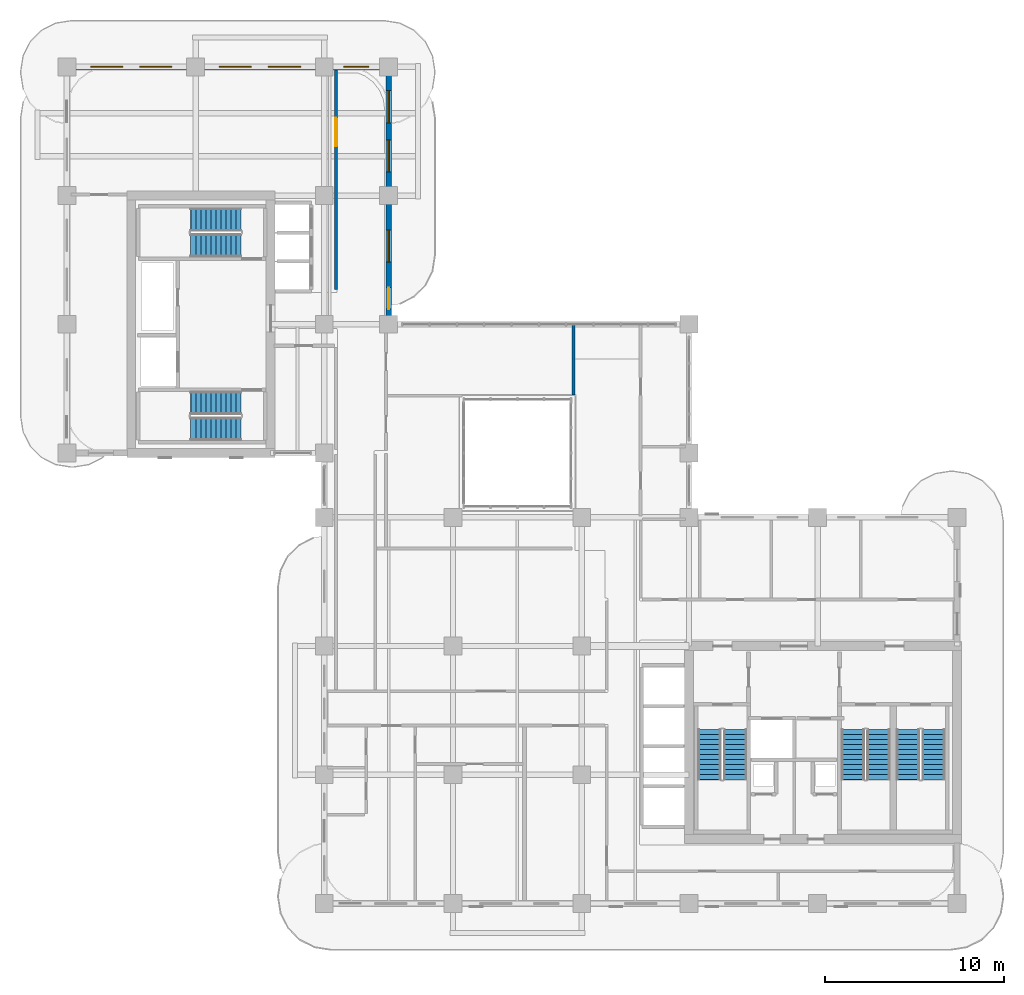
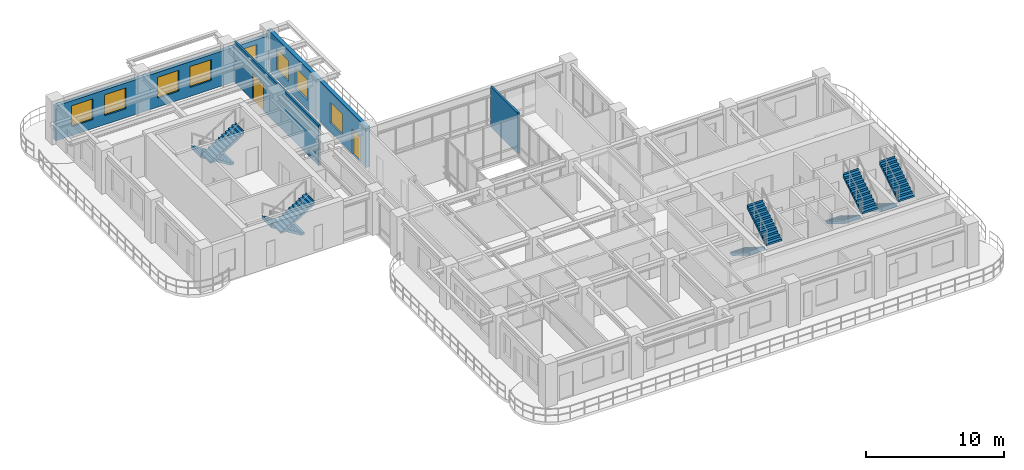
# One storey, part 15 of 20: 10 stair flights, 8 windows, 4 walls, 2 doors, 10 openings, 5 elements without a shape of their own.
"""IFC4 building model written with IfcOpenShell, lengths in metres."""

from ifc_helpers import new_model, si_unit, derived_unit, direction, frame, frame_2d, origin, place, context, subcontext, project, spatial, polyline, rectangle, outline, extrude, source, transform, mapped, material, layer, layer_set, type_object, type_shapes, element, fill, aggregate, save


model = new_model("IFC4")

# Units and contexts
model_context = context("Model", 3, precision=1e-05, world=origin(), true_north=direction((0.0, 1.0)))
body_context = subcontext(model_context, "Body", "Model", "MODEL_VIEW")
ifc_project = project(units=[si_unit("LENGTHUNIT", "METRE"), si_unit("AREAUNIT", "SQUARE_METRE"), si_unit("VOLUMEUNIT", "CUBIC_METRE"), si_unit("PLANEANGLEUNIT", "RADIAN"), si_unit("MASSUNIT", "GRAM", prefix="KILO"), si_unit("THERMODYNAMICTEMPERATUREUNIT", "KELVIN"), si_unit("POWERUNIT", "WATT"), derived_unit("THERMALTRANSMITTANCEUNIT", [(si_unit("POWERUNIT", "WATT"), 1), (si_unit("AREAUNIT", "SQUARE_METRE"), -1), (si_unit("THERMODYNAMICTEMPERATUREUNIT", "KELVIN"), -1)])], contexts=[model_context])

# Site, building, storey
site_placement = place(None, origin())
site = spatial("IfcSite", under=ifc_project, at=site_placement, CompositionType="ELEMENT")
building_placement = place(site_placement, origin())
building = spatial("IfcBuilding", under=site, at=building_placement, Name="Zahravan Archway Hotel and Residences", CompositionType="ELEMENT")
storey_placement = place(building_placement, frame((0.0, 0.0, 154.14990234375)))
storey = spatial("IfcBuildingStorey", under=building, at=storey_placement, Name="L38", CompositionType="ELEMENT", Elevation=154.14990234375)

# Wall, openings, windows
ifc_material_1 = material(Name="Agra Buff Sandstone & Insulated Backup", Category="masonry")
ifc_layer_1 = layer(ifc_material_1, 0.320068359375, Name="Agra Buff Sandstone & Insulated Backup", Category="masonry")
ifc_layer_set_1 = layer_set([ifc_layer_1], Name="Agra Buff Sandstone & Insulated Backup")
wall_type_1 = type_object("IfcWallType", Name="EW-SAND-320", PredefinedType="SOLIDWALL", material=ifc_layer_set_1)
wall_1_placement = place(storey_placement, frame((0.0, 46.800048828125, 0.0), z_axis=(0.0, 0.0, 1.0), x_axis=(1.0, 0.0, 0.0)))
wall_1 = element("IfcWall", 1, at=wall_1_placement, inside=storey, type_object=wall_type_1, Name="L38 Exterior Sandstone Wall WB-N", PredefinedType="SOLIDWALL", context=body_context, shape_type="SweptSolid", body=[
    extrude(rectangle(XDim=18.0, YDim=0.320068359375, at=frame_2d((9.0, 0.0))), origin(), (0.0, 0.0, 1.0), 3.085205078125),
])
opening_1_placement = place(wall_1_placement, frame((1.324951171875, 0.0, 0.800048828125)))
opening_1 = element("IfcOpeningElement", 2, at=opening_1_placement, cuts=wall_1, Name="Opening W-02", PredefinedType="OPENING", context=body_context, shape_type="SweptSolid", body=[
    extrude(rectangle(XDim=1.800048828125, YDim=1.85009765625, at=frame_2d((0.89990234375, 0.925048828125))), frame((0.0, 0.169921875, 0.0), z_axis=(0.0, -1.0, 0.0), x_axis=(1.0, 0.0, 0.0)), (0.0, 0.0, 1.0), 0.340087890625),
])
opening_2_placement = place(wall_1_placement, frame((4.074951171875, 0.0, 0.800048828125)))
opening_2 = element("IfcOpeningElement", 3, at=opening_2_placement, cuts=wall_1, Name="Opening W-02", PredefinedType="OPENING", context=body_context, shape_type="SweptSolid", body=[
    extrude(rectangle(XDim=1.800048828125, YDim=1.85009765625, at=frame_2d((0.89990234375, 0.925048828125))), frame((0.0, 0.169921875, 0.0), z_axis=(0.0, -1.0, 0.0), x_axis=(1.0, 0.0, 0.0)), (0.0, 0.0, 1.0), 0.340087890625),
])
opening_3_placement = place(wall_1_placement, frame((8.52490234375, 0.0, 0.800048828125)))
opening_3 = element("IfcOpeningElement", 4, at=opening_3_placement, cuts=wall_1, Name="Opening W-02", PredefinedType="OPENING", context=body_context, shape_type="SweptSolid", body=[
    extrude(rectangle(XDim=1.800048828125, YDim=1.85009765625, at=frame_2d((0.89990234375, 0.925048828125))), frame((0.0, 0.169921875, 0.0), z_axis=(0.0, -1.0, 0.0), x_axis=(1.0, 0.0, 0.0)), (0.0, 0.0, 1.0), 0.340087890625),
])
opening_4_placement = place(wall_1_placement, frame((11.27490234375, 0.0, 0.800048828125)))
opening_4 = element("IfcOpeningElement", 5, at=opening_4_placement, cuts=wall_1, Name="Opening W-02", PredefinedType="OPENING", context=body_context, shape_type="SweptSolid", body=[
    extrude(rectangle(XDim=1.800048828125, YDim=1.85009765625, at=frame_2d((0.89990234375, 0.925048828125))), frame((0.0, 0.169921875, 0.0), z_axis=(0.0, -1.0, 0.0), x_axis=(1.0, 0.0, 0.0)), (0.0, 0.0, 1.0), 0.340087890625),
])
opening_5_placement = place(wall_1_placement, frame((15.5, 0.0, 0.800048828125)))
opening_5 = element("IfcOpeningElement", 6, at=opening_5_placement, cuts=wall_1, Name="Opening W-03", PredefinedType="OPENING", context=body_context, shape_type="SweptSolid", body=[
    extrude(rectangle(XDim=1.39990234375, YDim=1.85009765625, at=frame_2d((0.699951171875, 0.925048828125))), frame((0.0, 0.169921875, 0.0), z_axis=(0.0, -1.0, 0.0), x_axis=(1.0, 0.0, 0.0)), (0.0, 0.0, 1.0), 0.340087890625),
])
ifc_material_2 = material(Name="Bronze-Anodized Thermal-Break Aluminium & Low-E Glass", Category="aluminium")
window_type_1 = type_object("IfcWindowType", Name="WIN-TWR-1400", PartitioningType="SINGLE_PANEL", PredefinedType="WINDOW", material=ifc_material_2)
shared_shape_1 = source(origin(), body_context, "Body", "SweptSolid", [
    extrude(rectangle(XDim=1.39990234375, YDim=1.85009765625, at=frame_2d((0.699951171875, 0.925048828125))), frame((0.0, 0.030029296875, 0.0), z_axis=(0.0, -1.0, 0.0), x_axis=(1.0, 0.0, 0.0)), (0.0, 0.0, 1.0), 0.06005859375),
])
type_shapes(window_type_1, [shared_shape_1])
window_1_placement = place(opening_5_placement, origin())
window_1 = element("IfcWindow", 7, at=window_1_placement, inside=storey, type_object=window_type_1, Name="L38 Loggia Window 30", OverallHeight=1.85009765625, OverallWidth=1.39990234375, PartitioningType="SINGLE_PANEL", PredefinedType="WINDOW", context=body_context, shape_type="MappedRepresentation", body=[
    mapped(shared_shape_1, transform((0.0, 0.0, 0.0), scale=1.0)),
])
fill(opening_5, window_1)
window_type_2 = type_object("IfcWindowType", Name="WIN-TWR-1800", PartitioningType="DOUBLE_PANEL_VERTICAL", PredefinedType="WINDOW", material=ifc_material_2)
shared_shape_2 = source(origin(), body_context, "Body", "SweptSolid", [
    extrude(rectangle(XDim=1.800048828125, YDim=1.85009765625, at=frame_2d((0.89990234375, 0.925048828125))), frame((0.0, 0.030029296875, 0.0), z_axis=(0.0, -1.0, 0.0), x_axis=(1.0, 0.0, 0.0)), (0.0, 0.0, 1.0), 0.06005859375),
])
type_shapes(window_type_2, [shared_shape_2])
window_2_placement = place(opening_1_placement, origin())
window_2 = element("IfcWindow", 8, at=window_2_placement, inside=storey, type_object=window_type_2, Name="L38 Loggia Window 26", OverallHeight=1.85009765625, OverallWidth=1.800048828125, PartitioningType="DOUBLE_PANEL_VERTICAL", PredefinedType="WINDOW", context=body_context, shape_type="MappedRepresentation", body=[
    mapped(shared_shape_2, transform((0.0, 0.0, 0.0), scale=1.0)),
])
fill(opening_1, window_2)
window_3_placement = place(opening_2_placement, origin())
window_3 = element("IfcWindow", 9, at=window_3_placement, inside=storey, type_object=window_type_2, Name="L38 Loggia Window 27", OverallHeight=1.85009765625, OverallWidth=1.800048828125, PartitioningType="DOUBLE_PANEL_VERTICAL", PredefinedType="WINDOW", context=body_context, shape_type="MappedRepresentation", body=[
    mapped(shared_shape_2, transform((0.0, 0.0, 0.0), scale=1.0)),
])
fill(opening_2, window_3)
window_4_placement = place(opening_3_placement, origin())
window_4 = element("IfcWindow", 10, at=window_4_placement, inside=storey, type_object=window_type_2, Name="L38 Loggia Window 28", OverallHeight=1.85009765625, OverallWidth=1.800048828125, PartitioningType="DOUBLE_PANEL_VERTICAL", PredefinedType="WINDOW", context=body_context, shape_type="MappedRepresentation", body=[
    mapped(shared_shape_2, transform((0.0, 0.0, 0.0), scale=1.0)),
])
fill(opening_3, window_4)
window_5_placement = place(opening_4_placement, origin())
window_5 = element("IfcWindow", 11, at=window_5_placement, inside=storey, type_object=window_type_2, Name="L38 Loggia Window 29", OverallHeight=1.85009765625, OverallWidth=1.800048828125, PartitioningType="DOUBLE_PANEL_VERTICAL", PredefinedType="WINDOW", context=body_context, shape_type="MappedRepresentation", body=[
    mapped(shared_shape_2, transform((0.0, 0.0, 0.0), scale=1.0)),
])
fill(opening_4, window_5)

# Wall, openings, door, windows
wall_2_placement = place(storey_placement, frame((18.0, 32.39990234375, 0.0), z_axis=(0.0, 0.0, 1.0), x_axis=(0.0, 1.0, 0.0)))
wall_2 = element("IfcWall", 12, at=wall_2_placement, inside=storey, type_object=wall_type_1, Name="L38 Exterior Sandstone Wall WB-EU", PredefinedType="SOLIDWALL", context=body_context, shape_type="SweptSolid", body=[
    extrude(rectangle(XDim=14.35009765625, YDim=0.320068359375, at=frame_2d((7.175048828125, 0.0))), origin(), (0.0, 0.0, 1.0), 3.60009765625),
])
opening_6_placement = place(wall_2_placement, frame((0.85009765625, 0.0, 0.0)))
opening_6 = element("IfcOpeningElement", 13, at=opening_6_placement, cuts=wall_2, Name="Opening ED-BL1", PredefinedType="OPENING", context=body_context, shape_type="SweptSolid", body=[
    extrude(rectangle(XDim=1.199951171875, YDim=2.199951171875, at=frame_2d((0.60009765625, 1.10009765625))), frame((0.0, 0.169921875, 0.0), z_axis=(0.0, -1.0, 0.0), x_axis=(1.0, 0.0, 0.0)), (0.0, 0.0, 1.0), 0.340087890625),
])
opening_7_placement = place(wall_2_placement, frame((3.47509765625, 0.0, 0.800048828125)))
opening_7 = element("IfcOpeningElement", 14, at=opening_7_placement, cuts=wall_2, Name="Opening W-02", PredefinedType="OPENING", context=body_context, shape_type="SweptSolid", body=[
    extrude(rectangle(XDim=1.800048828125, YDim=1.85009765625, at=frame_2d((0.89990234375, 0.925048828125))), frame((0.0, 0.169921875, 0.0), z_axis=(0.0, -1.0, 0.0), x_axis=(1.0, 0.0, 0.0)), (0.0, 0.0, 1.0), 0.340087890625),
])
opening_8_placement = place(wall_2_placement, frame((8.52490234375, 0.0, 0.800048828125)))
opening_8 = element("IfcOpeningElement", 15, at=opening_8_placement, cuts=wall_2, Name="Opening W-02", PredefinedType="OPENING", context=body_context, shape_type="SweptSolid", body=[
    extrude(rectangle(XDim=1.800048828125, YDim=1.85009765625, at=frame_2d((0.89990234375, 0.925048828125))), frame((0.0, 0.169921875, 0.0), z_axis=(0.0, -1.0, 0.0), x_axis=(1.0, 0.0, 0.0)), (0.0, 0.0, 1.0), 0.340087890625),
])
opening_9_placement = place(wall_2_placement, frame((11.27490234375, 0.0, 0.800048828125)))
opening_9 = element("IfcOpeningElement", 16, at=opening_9_placement, cuts=wall_2, Name="Opening W-02", PredefinedType="OPENING", context=body_context, shape_type="SweptSolid", body=[
    extrude(rectangle(XDim=1.800048828125, YDim=1.85009765625, at=frame_2d((0.89990234375, 0.925048828125))), frame((0.0, 0.169921875, 0.0), z_axis=(0.0, -1.0, 0.0), x_axis=(1.0, 0.0, 0.0)), (0.0, 0.0, 1.0), 0.340087890625),
])
ifc_material_3 = material(Name="Bronze-Anodized Glazed Aluminium", Category="aluminium")
door_type_1 = type_object("IfcDoorType", Name="ED-BALC-1200", OperationType="SLIDING_TO_LEFT", PredefinedType="DOOR", material=ifc_material_3)
shared_shape_3 = source(origin(), body_context, "Body", "SweptSolid", [
    extrude(rectangle(XDim=1.199951171875, YDim=2.199951171875, at=frame_2d((0.60009765625, 1.10009765625))), frame((0.0, 0.02490234375, 0.0), z_axis=(0.0, -1.0, 0.0), x_axis=(1.0, 0.0, 0.0)), (0.0, 0.0, 1.0), 0.050048828125),
])
type_shapes(door_type_1, [shared_shape_3])
door_1_placement = place(opening_6_placement, origin())
door_1 = element("IfcDoor", 17, at=door_1_placement, inside=storey, type_object=door_type_1, Name="L38 Outdoor Access Sliding Door (SLB-BAL-L38-EB)", OperationType="SLIDING_TO_LEFT", OverallHeight=2.199951171875, OverallWidth=1.199951171875, PredefinedType="DOOR", context=body_context, shape_type="MappedRepresentation", body=[
    mapped(shared_shape_3, transform((0.0, 0.0, 0.0), scale=1.0)),
])
fill(opening_6, door_1)
window_6_placement = place(opening_7_placement, origin())
window_6 = element("IfcWindow", 18, at=window_6_placement, inside=storey, type_object=window_type_2, Name="L38 Loggia Window 31", OverallHeight=1.85009765625, OverallWidth=1.800048828125, PartitioningType="DOUBLE_PANEL_VERTICAL", PredefinedType="WINDOW", context=body_context, shape_type="MappedRepresentation", body=[
    mapped(shared_shape_2, transform((0.0, 0.0, 0.0), scale=1.0)),
])
fill(opening_7, window_6)
window_7_placement = place(opening_8_placement, origin())
window_7 = element("IfcWindow", 19, at=window_7_placement, inside=storey, type_object=window_type_2, Name="L38 Loggia Window 32", OverallHeight=1.85009765625, OverallWidth=1.800048828125, PartitioningType="DOUBLE_PANEL_VERTICAL", PredefinedType="WINDOW", context=body_context, shape_type="MappedRepresentation", body=[
    mapped(shared_shape_2, transform((0.0, 0.0, 0.0), scale=1.0)),
])
fill(opening_8, window_7)
window_8_placement = place(opening_9_placement, origin())
window_8 = element("IfcWindow", 20, at=window_8_placement, inside=storey, type_object=window_type_2, Name="L38 Loggia Window 33", OverallHeight=1.85009765625, OverallWidth=1.800048828125, PartitioningType="DOUBLE_PANEL_VERTICAL", PredefinedType="WINDOW", context=body_context, shape_type="MappedRepresentation", body=[
    mapped(shared_shape_2, transform((0.0, 0.0, 0.0), scale=1.0)),
])
fill(opening_9, window_8)

# Wall, opening, door
ifc_material_4 = material(Name="Fire-Rated Gypsum & Concrete Block", Category="concrete")
ifc_layer_2 = layer(ifc_material_4, 0.159912109375, Name="Fire-Rated Gypsum & Concrete Block", Category="concrete")
ifc_layer_set_2 = layer_set([ifc_layer_2], Name="Fire-Rated Gypsum & Concrete Block")
wall_type_2 = type_object("IfcWallType", Name="PW-CORR-160", PredefinedType="PARTITIONING", material=ifc_layer_set_2)
wall_3_placement = place(storey_placement, frame((15.050048828125, 34.340087890625, 0.0), z_axis=(0.0, 0.0, 1.0), x_axis=(0.0, 1.0, 0.0)))
wall_3 = element("IfcWall", 21, at=wall_3_placement, inside=storey, type_object=wall_type_2, Name="L38 Partition WBN-C", PredefinedType="PARTITIONING", context=body_context, shape_type="SweptSolid", body=[
    extrude(rectangle(XDim=12.2919921875, YDim=0.159912109375, at=frame_2d((6.14599609375, 0.0))), origin(), (0.0, 0.0, 1.0), 3.60009765625),
])
opening_10_placement = place(wall_3_placement, frame((8.010009765625, 0.0, 0.0)))
opening_10 = element("IfcOpeningElement", 22, at=opening_10_placement, cuts=wall_3, Name="Opening D-P2", PredefinedType="OPENING", context=body_context, shape_type="SweptSolid", body=[
    extrude(rectangle(XDim=1.60009765625, YDim=2.39990234375, at=frame_2d((0.800048828125, 1.199951171875))), frame((0.0, 0.08984375, 0.0), z_axis=(0.0, -1.0, 0.0), x_axis=(1.0, 0.0, 0.0)), (0.0, 0.0, 1.0), 0.179931640625),
])
door_type_2 = type_object("IfcDoorType", Name="ID-PUBLIC-1600", OperationType="DOUBLE_DOOR_SINGLE_SWING", PredefinedType="DOOR", material=ifc_material_3)
shared_shape_4 = source(origin(), body_context, "Body", "SweptSolid", [
    extrude(rectangle(XDim=1.60009765625, YDim=2.39990234375, at=frame_2d((0.800048828125, 1.199951171875))), frame((0.0, 0.02490234375, 0.0), z_axis=(0.0, -1.0, 0.0), x_axis=(1.0, 0.0, 0.0)), (0.0, 0.0, 1.0), 0.050048828125),
])
type_shapes(door_type_2, [shared_shape_4])
door_2_placement = place(opening_10_placement, origin())
door_2 = element("IfcDoor", 23, at=door_2_placement, inside=storey, type_object=door_type_2, Name="L38 North Wing Spa Salon Door", OperationType="DOUBLE_DOOR_SINGLE_SWING", OverallHeight=2.39990234375, OverallWidth=1.60009765625, PredefinedType="DOOR", context=body_context, shape_type="MappedRepresentation", body=[
    mapped(shared_shape_4, transform((0.0, 0.0, 0.0), scale=1.0)),
])
fill(opening_10, door_2)

# Wall
wall_4_placement = place(storey_placement, frame((28.35009765625, 28.43994140625, 0.0), z_axis=(0.0, 0.0, 1.0), x_axis=(0.0, 1.0, 0.0)))
element("IfcWall", 24, at=wall_4_placement, inside=storey, type_object=wall_type_2, Name="L38 Partition ATR-NWE", PredefinedType="PARTITIONING", context=body_context, shape_type="SweptSolid", body=[
    extrude(rectangle(XDim=3.93212890625, YDim=0.159912109375, at=frame_2d((1.966064453125, 0.0))), origin(), (0.0, 0.0, 1.0), 3.60009765625),
])

# Stair, stair flights
ifc_material_5 = material(Name="Concrete C50/60", Category="concrete")
stair_type = type_object("IfcStairType", Name="STR-CORE-1300", PredefinedType="HALF_TURN_STAIR", material=ifc_material_5)
stair_1_placement = place(storey_placement, origin())
stair_1 = element("IfcStair", 25, at=stair_1_placement, inside=storey, type_object=stair_type, Name="L38 Core A Exit Stair 1", PredefinedType="HALF_TURN_STAIR")
ifc_layer_3 = layer(ifc_material_5, 0.199951171875, Name="Concrete C50/60", Category="concrete")
ifc_layer_set_3 = layer_set([ifc_layer_3], Name="Concrete C50/60")
stair_flight_type = type_object("IfcStairFlightType", Name="SFL-CORE-1300", PredefinedType="STRAIGHT", material=ifc_layer_set_3)
shared_shape_5 = source(origin(), body_context, "Body", "SweptSolid", [
    extrude(outline(polyline([(-0.01611328125, 0.0), (-0.01611328125, 0.175048828125), (0.280029296875, 0.175048828125), (0.280029296875, 0.35009765625), (0.56005859375, 0.35009765625), (0.56005859375, 0.52490234375), (0.840087890625, 0.52490234375), (0.840087890625, 0.699951171875), (1.1201171875, 0.699951171875), (1.1201171875, 0.875), (1.39990234375, 0.875), (1.39990234375, 1.050048828125), (1.679931640625, 1.050048828125), (1.679931640625, 1.22509765625), (1.9599609375, 1.22509765625), (1.9599609375, 1.39990234375), (2.239990234375, 1.39990234375), (2.239990234375, 1.574951171875), (2.52001953125, 1.574951171875), (2.52001953125, 1.75), (2.800048828125, 1.75), (2.800048828125, 1.925048828125), (2.816162109375, 1.925048828125), (2.816162109375, 1.5732421875), (0.28271484375, 0.0), (-0.01611328125, 0.0)])), frame((0.0, 0.64990234375, 0.0), z_axis=(0.0, -1.0, 0.0), x_axis=(1.0, 0.0, 0.0)), (0.0, 0.0, 1.0), 1.300048828125),
])
stair_flight_1_placement = place(storey_placement, frame((35.949951171875, 9.72998046875, 0.0), z_axis=(0.0, 0.0, 1.0), x_axis=(0.0, -1.0, 0.0)))
stair_flight_1 = element("IfcStairFlight", 26, at=stair_flight_1_placement, type_object=stair_flight_type, Name="ST-A1 flight 1", NumberOfRisers=11, NumberOfTreads=10, PredefinedType="STRAIGHT", RiserHeight=0.175, TreadLength=0.28, context=body_context, shape_type="MappedRepresentation", body=[
    mapped(shared_shape_5, transform((0.0, 0.0, 0.0), scale=1.0)),
])
stair_flight_2_placement = place(storey_placement, frame((37.389892578125, 6.929931640625, 1.925048828125), z_axis=(0.0, 0.0, 1.0), x_axis=(0.0, 1.0, 0.0)))
stair_flight_2 = element("IfcStairFlight", 27, at=stair_flight_2_placement, type_object=stair_flight_type, Name="ST-A1 flight 2", NumberOfRisers=11, NumberOfTreads=10, PredefinedType="STRAIGHT", RiserHeight=0.175, TreadLength=0.28, context=body_context, shape_type="MappedRepresentation", body=[
    mapped(shared_shape_5, transform((0.0, 0.0, 0.0), scale=1.0)),
])
aggregate(stair_1, [stair_flight_1, stair_flight_2])

stair_2_placement = place(storey_placement, origin())
stair_2 = element("IfcStair", 28, at=stair_2_placement, inside=storey, type_object=stair_type, Name="L38 Core A Exit Stair 2", PredefinedType="HALF_TURN_STAIR")
stair_flight_3_placement = place(storey_placement, frame((43.969970703125, 9.72998046875, 0.0), z_axis=(0.0, 0.0, 1.0), x_axis=(0.0, -1.0, 0.0)))
stair_flight_3 = element("IfcStairFlight", 29, at=stair_flight_3_placement, type_object=stair_flight_type, Name="ST-A2 flight 1", NumberOfRisers=11, NumberOfTreads=10, PredefinedType="STRAIGHT", RiserHeight=0.175, TreadLength=0.28, context=body_context, shape_type="MappedRepresentation", body=[
    mapped(shared_shape_5, transform((0.0, 0.0, 0.0), scale=1.0)),
])
stair_flight_4_placement = place(storey_placement, frame((45.409912109375, 6.929931640625, 1.925048828125), z_axis=(0.0, 0.0, 1.0), x_axis=(0.0, 1.0, 0.0)))
stair_flight_4 = element("IfcStairFlight", 30, at=stair_flight_4_placement, type_object=stair_flight_type, Name="ST-A2 flight 2", NumberOfRisers=11, NumberOfTreads=10, PredefinedType="STRAIGHT", RiserHeight=0.175, TreadLength=0.28, context=body_context, shape_type="MappedRepresentation", body=[
    mapped(shared_shape_5, transform((0.0, 0.0, 0.0), scale=1.0)),
])
aggregate(stair_2, [stair_flight_3, stair_flight_4])

stair_3_placement = place(storey_placement, origin())
stair_3 = element("IfcStair", 31, at=stair_3_placement, inside=storey, type_object=stair_type, Name="L38 Core A Exit Stair 3", PredefinedType="HALF_TURN_STAIR")
stair_flight_5_placement = place(storey_placement, frame((47.050048828125, 9.72998046875, 0.0), z_axis=(0.0, 0.0, 1.0), x_axis=(0.0, -1.0, 0.0)))
stair_flight_5 = element("IfcStairFlight", 32, at=stair_flight_5_placement, type_object=stair_flight_type, Name="ST-A3 flight 1", NumberOfRisers=11, NumberOfTreads=10, PredefinedType="STRAIGHT", RiserHeight=0.175, TreadLength=0.28, context=body_context, shape_type="MappedRepresentation", body=[
    mapped(shared_shape_5, transform((0.0, 0.0, 0.0), scale=1.0)),
])
stair_flight_6_placement = place(storey_placement, frame((48.489990234375, 6.929931640625, 1.925048828125), z_axis=(0.0, 0.0, 1.0), x_axis=(0.0, 1.0, 0.0)))
stair_flight_6 = element("IfcStairFlight", 33, at=stair_flight_6_placement, type_object=stair_flight_type, Name="ST-A3 flight 2", NumberOfRisers=11, NumberOfTreads=10, PredefinedType="STRAIGHT", RiserHeight=0.175, TreadLength=0.28, context=body_context, shape_type="MappedRepresentation", body=[
    mapped(shared_shape_5, transform((0.0, 0.0, 0.0), scale=1.0)),
])
aggregate(stair_3, [stair_flight_5, stair_flight_6])

stair_4_placement = place(storey_placement, origin())
stair_4 = element("IfcStair", 34, at=stair_4_placement, inside=storey, type_object=stair_type, Name="L38 Core B Exit Stair 1", PredefinedType="HALF_TURN_STAIR")
stair_flight_7_placement = place(storey_placement, frame((9.72998046875, 27.989990234375, 0.0), z_axis=(0.0, 0.0, 1.0), x_axis=(-1.0, 0.0, 0.0)))
stair_flight_7 = element("IfcStairFlight", 35, at=stair_flight_7_placement, type_object=stair_flight_type, Name="ST-B1 flight 1", NumberOfRisers=11, NumberOfTreads=10, PredefinedType="STRAIGHT", RiserHeight=0.175, TreadLength=0.28, context=body_context, shape_type="MappedRepresentation", body=[
    mapped(shared_shape_5, transform((0.0, 0.0, 0.0), scale=1.0)),
])
stair_flight_8_placement = place(storey_placement, frame((6.929931640625, 26.550048828125, 1.925048828125), z_axis=(0.0, 0.0, 1.0), x_axis=(1.0, 0.0, 0.0)))
stair_flight_8 = element("IfcStairFlight", 36, at=stair_flight_8_placement, type_object=stair_flight_type, Name="ST-B1 flight 2", NumberOfRisers=11, NumberOfTreads=10, PredefinedType="STRAIGHT", RiserHeight=0.175, TreadLength=0.28, context=body_context, shape_type="MappedRepresentation", body=[
    mapped(shared_shape_5, transform((0.0, 0.0, 0.0), scale=1.0)),
])
aggregate(stair_4, [stair_flight_7, stair_flight_8])

stair_5_placement = place(storey_placement, origin())
stair_5 = element("IfcStair", 37, at=stair_5_placement, inside=storey, type_object=stair_type, Name="L38 Core B Exit Stair 2", PredefinedType="HALF_TURN_STAIR")
stair_flight_9_placement = place(storey_placement, frame((9.72998046875, 38.25, 0.0), z_axis=(0.0, 0.0, 1.0), x_axis=(-1.0, 0.0, 0.0)))
stair_flight_9 = element("IfcStairFlight", 38, at=stair_flight_9_placement, type_object=stair_flight_type, Name="ST-B2 flight 1", NumberOfRisers=11, NumberOfTreads=10, PredefinedType="STRAIGHT", RiserHeight=0.175, TreadLength=0.28, context=body_context, shape_type="MappedRepresentation", body=[
    mapped(shared_shape_5, transform((0.0, 0.0, 0.0), scale=1.0)),
])
stair_flight_10_placement = place(storey_placement, frame((6.929931640625, 36.81005859375, 1.925048828125), z_axis=(0.0, 0.0, 1.0), x_axis=(1.0, 0.0, 0.0)))
stair_flight_10 = element("IfcStairFlight", 39, at=stair_flight_10_placement, type_object=stair_flight_type, Name="ST-B2 flight 2", NumberOfRisers=11, NumberOfTreads=10, PredefinedType="STRAIGHT", RiserHeight=0.175, TreadLength=0.28, context=body_context, shape_type="MappedRepresentation", body=[
    mapped(shared_shape_5, transform((0.0, 0.0, 0.0), scale=1.0)),
])
aggregate(stair_5, [stair_flight_9, stair_flight_10])

save(model, "model.ifc")
